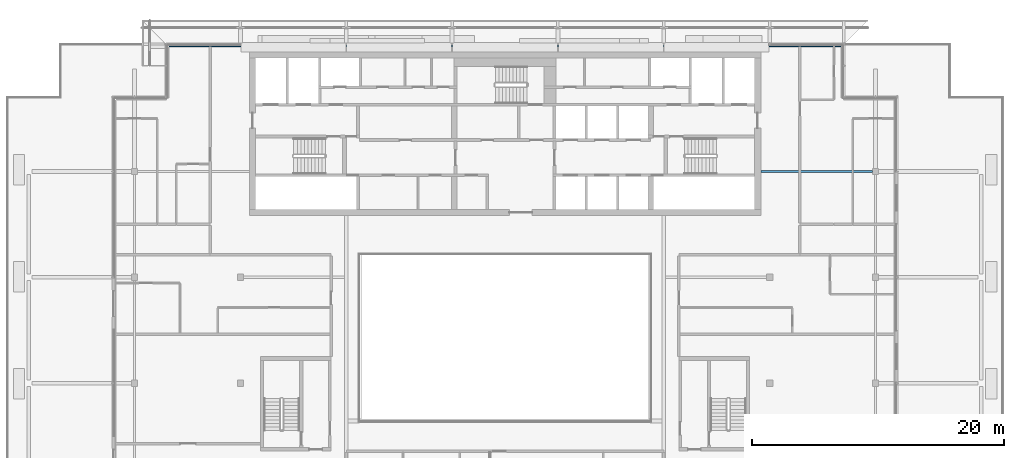
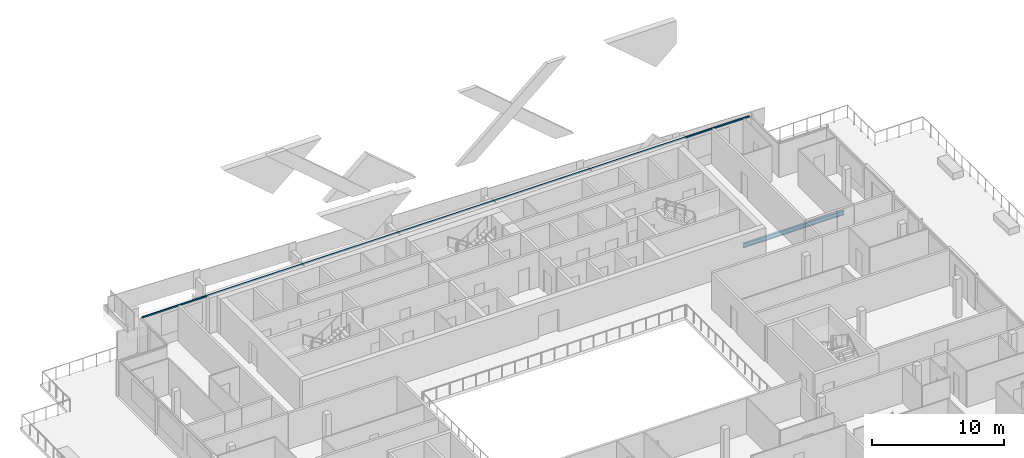
# One storey, part 10 of 29: 1 beam, 1 member, 1 element without a shape of its own.
"""IFC4 building model written with IfcOpenShell, lengths in metres."""

from ifc_helpers import new_model, si_unit, direction, frame, origin, origin_2d, place, context, subcontext, project, spatial, rectangle, i_section, extrude, material, material_profile, profile_set, type_object, element, aggregate, save


model = new_model("IFC4")

# Units and contexts
model_context = context("Model", 3, precision=1e-05, world=origin(), true_north=direction((0.0, 1.0)))
body_context = subcontext(model_context, "Body", "Model", "MODEL_VIEW")
ifc_project = project(units=[si_unit("LENGTHUNIT", "METRE"), si_unit("AREAUNIT", "SQUARE_METRE"), si_unit("VOLUMEUNIT", "CUBIC_METRE"), si_unit("PLANEANGLEUNIT", "RADIAN"), si_unit("MASSUNIT", "GRAM", prefix="KILO")], contexts=[model_context])

# Site, building, storey
site_placement = place(None, origin())
site = spatial("IfcSite", under=ifc_project, at=site_placement, CompositionType="ELEMENT")
building_placement = place(site_placement, origin())
building = spatial("IfcBuilding", under=site, at=building_placement, Name="Saffron Gate Tower", CompositionType="ELEMENT")
storey_placement = place(building_placement, frame((0.0, 0.0, 270.75)))
storey = spatial("IfcBuildingStorey", under=building, at=storey_placement, Name="L65", CompositionType="ELEMENT", Elevation=270.75)

# Beam
ifc_material_1 = material(Name="Structural steel S355", Category="steel")
ifc_material_profile_1 = material_profile(ifc_material_1, i_section(OverallWidth=0.179931640625, OverallDepth=0.39990234375, WebThickness=0.008544921875, FlangeThickness=0.013427734375, FilletRadius=0.02099609375, at=origin_2d()))
ifc_profile_set_1 = profile_set([ifc_material_profile_1], Name="Structural steel S355")
beam_type = type_object("IfcBeamType", Name="B4 IPE 400", PredefinedType="BEAM", material=ifc_profile_set_1)
beam_placement = place(storey_placement, frame((116.75, 65.39990234375, -0.47998046875), z_axis=(-1.0, 0.0, 0.0), x_axis=(0.0, -1.0, 0.0)))
element("IfcBeam", 1, at=beam_placement, inside=storey, type_object=beam_type, Name="B4 CORE TIE BEAM", PredefinedType="BEAM", context=body_context, shape_type="SweptSolid", body=[
    extrude(i_section(OverallWidth=0.179931640625, OverallDepth=0.39990234375, WebThickness=0.008544921875, FlangeThickness=0.013427734375, FilletRadius=0.02099609375, at=origin_2d()), origin(), (0.0, 0.0, 1.0), 8.85009765625),
])

# Curtain wall, member
ifc_material_2 = material(Name="Aluminium, bronze anodised", Category="aluminium")
curtain_wall_type = type_object("IfcCurtainWallType", Name="CWS3 curtain wall rear facade", PredefinedType="NOTDEFINED", material=ifc_material_2)
curtain_wall_placement = place(storey_placement, origin())
curtain_wall = element("IfcCurtainWall", 2, at=curtain_wall_placement, inside=storey, type_object=curtain_wall_type, Name="CWS3 run 7", PredefinedType="NOTDEFINED")
ifc_material_profile_2 = material_profile(ifc_material_2, rectangle(XDim=0.1201171875, YDim=0.1201171875, at=origin_2d()))
ifc_profile_set_2 = profile_set([ifc_material_profile_2], Name="Aluminium, bronze anodised")
member_type = type_object("IfcMemberType", Name="CWS3 head transom", PredefinedType="USERDEFINED", material=ifc_profile_set_2)
member_placement = place(storey_placement, frame((114.23193359375, 75.35205078125, 3.260009765625), z_axis=(-1.0, 0.0, 0.0), x_axis=(0.0, -1.0, 0.0)))
member = element("IfcMember", 3, at=member_placement, type_object=member_type, Name="CWS3 head transom", ObjectType="TRANSOM", PredefinedType="USERDEFINED", context=body_context, shape_type="SweptSolid", body=[
    extrude(rectangle(XDim=0.1201171875, YDim=0.1201171875, at=origin_2d()), origin(), (0.0, 0.0, 1.0), 53.263916015625),
])
aggregate(curtain_wall, [member])

save(model, "model.ifc")
